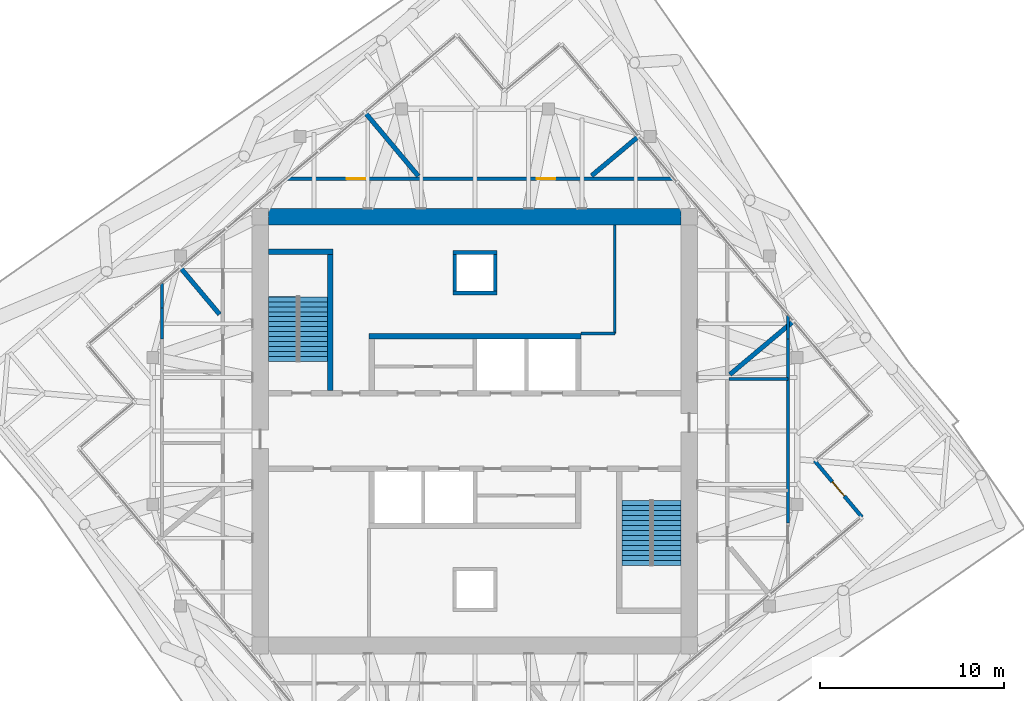
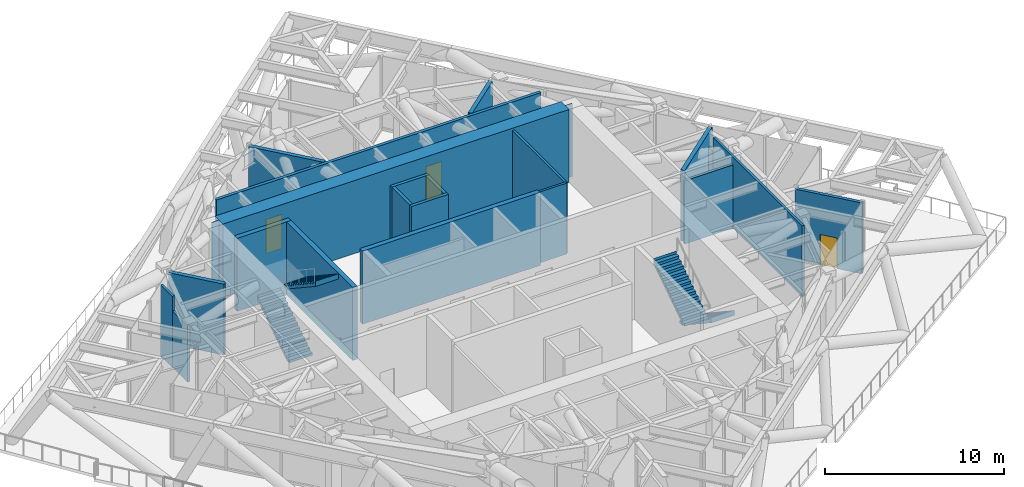
# One storey, part 9 of 15: 21 walls, 4 stair flights, 3 doors, 3 openings, 2 elements without a shape of their own.
"""IFC4 building model written with IfcOpenShell, lengths in metres."""

from ifc_helpers import new_model, si_unit, direction, frame, frame_2d, origin, place, context, subcontext, project, spatial, polyline, rectangle, outline, extrude, material, layer, layer_set, type_object, element, fill, aggregate, save


model = new_model("IFC4")

# Units and contexts
model_context = context("Model", 3, precision=1e-05, world=origin(), true_north=direction((0.0, 1.0)))
body_context = subcontext(model_context, "Body", "Model", "MODEL_VIEW")
ifc_project = project(units=[si_unit("LENGTHUNIT", "METRE"), si_unit("AREAUNIT", "SQUARE_METRE"), si_unit("VOLUMEUNIT", "CUBIC_METRE"), si_unit("PLANEANGLEUNIT", "RADIAN"), si_unit("MASSUNIT", "GRAM", prefix="KILO")], contexts=[model_context])

# Site, building, storey
site_placement = place(None, origin())
site = spatial("IfcSite", under=ifc_project, at=site_placement, CompositionType="ELEMENT")
building_placement = place(site_placement, origin())
building = spatial("IfcBuilding", under=site, at=building_placement, Name="Torsade Residences", CompositionType="ELEMENT")
storey_placement = place(building_placement, frame((0.0, 0.0, 267.60009765625)))
storey = spatial("IfcBuildingStorey", under=building, at=storey_placement, Name="L74", CompositionType="ELEMENT", Elevation=267.60009765625)

# Walls
ifc_material_1 = material(Name="Concrete 80 MPa", Category="concrete")
ifc_layer_1 = layer(ifc_material_1, 0.300048828125)
ifc_layer_set_1 = layer_set([ifc_layer_1], Name="Concrete 80 MPa")
wall_type_1 = type_object("IfcWallType", Name="CORE INTERNAL WALL 300", PredefinedType="SHEAR", material=ifc_layer_set_1)
wall_1_placement = place(storey_placement, frame((34.25, 35.14990234375, 0.0), z_axis=(0.0, 0.0, 1.0), x_axis=(1.0, 0.0, 0.0)))
element("IfcWall", 1, at=wall_1_placement, inside=storey, type_object=wall_type_1, Name="Core wall BN L74", PredefinedType="SHEAR", context=body_context, shape_type="SweptSolid", body=[
    extrude(rectangle(XDim=11.5, YDim=0.300048828125, at=frame_2d((5.75, 0.0))), origin(), (0.0, 0.0, 1.0), 5.0),
])
wall_2_placement = place(storey_placement, frame((32.14990234375, 32.199951171875, 0.0), z_axis=(0.0, 0.0, 1.0), x_axis=(0.0, 1.0, 0.0)))
element("IfcWall", 2, at=wall_2_placement, inside=storey, type_object=wall_type_1, Name="Core wall ST1E L74", PredefinedType="SHEAR", context=body_context, shape_type="SweptSolid", body=[
    extrude(rectangle(XDim=7.699951171875, YDim=0.300048828125, at=frame_2d((3.85009765625, 0.0))), origin(), (0.0, 0.0, 1.0), 5.0),
])
wall_3_placement = place(storey_placement, frame((28.800048828125, 39.75, 0.0), z_axis=(0.0, 0.0, 1.0), x_axis=(1.0, 0.0, 0.0)))
element("IfcWall", 3, at=wall_3_placement, inside=storey, type_object=wall_type_1, Name="Core wall ST1N L74", PredefinedType="SHEAR", context=body_context, shape_type="SweptSolid", body=[
    extrude(rectangle(XDim=3.5, YDim=0.300048828125, at=frame_2d((1.75, 0.0))), origin(), (0.0, 0.0, 1.0), 5.0),
])
ifc_material_2 = material(Name="Concrete 80 MPa", Category="concrete")
ifc_layer_2 = layer(ifc_material_2, 0.89990234375)
ifc_layer_set_2 = layer_set([ifc_layer_2], Name="Concrete 80 MPa")
wall_type_2 = type_object("IfcWallType", Name="CORE WALL 900", PredefinedType="SHEAR", material=ifc_layer_set_2)
wall_4_placement = place(storey_placement, frame((28.800048828125, 41.64990234375, 0.0), z_axis=(0.0, 0.0, 1.0), x_axis=(1.0, 0.0, 0.0)))
element("IfcWall", 4, at=wall_4_placement, inside=storey, type_object=wall_type_2, Name="Core wall N L74", PredefinedType="SHEAR", context=body_context, shape_type="SweptSolid", body=[
    extrude(outline(polyline([(0.0, -0.449951171875), (22.39990234375, -0.449951171875), (22.39990234375, -0.02490234375), (22.849853515625, -0.02490234375), (22.849853515625, 0.02490234375), (22.39990234375, 0.02490234375), (22.39990234375, 0.449951171875), (0.0, 0.449951171875), (0.0, 0.02490234375), (-0.449951171875, 0.02490234375), (-0.449951171875, -0.02490234375), (0.0, -0.02490234375), (0.0, -0.449951171875)])), origin(), (0.0, 0.0, 1.0), 5.0),
])

# Wall, openings, doors
ifc_material_3 = material(Name="Plasterboard on steel stud", Category="steel")
ifc_layer_3 = layer(ifc_material_3, 0.199951171875)
ifc_layer_set_3 = layer_set([ifc_layer_3], Name="Plasterboard on steel stud")
wall_type_3 = type_object("IfcWallType", Name="CORRIDOR WALL 200", PredefinedType="PARTITIONING", material=ifc_layer_set_3)
wall_5_placement = place(storey_placement, frame((50.774658203125, 43.699951171875, 0.0), z_axis=(0.0, 0.0, 1.0), x_axis=(-1.0, 0.0, 0.0)))
wall_5 = element("IfcWall", 5, at=wall_5_placement, inside=storey, type_object=wall_type_3, Name="Corridor wall L74", PredefinedType="PARTITIONING", context=body_context, shape_type="SweptSolid", body=[
    extrude(rectangle(XDim=20.98828125, YDim=0.199951171875, at=frame_2d((10.494140625, 0.0))), origin(), (0.0, 0.0, 1.0), 4.849853515625),
])
opening_1_placement = place(wall_5_placement, frame((6.403076171875, 0.0, 0.0)))
opening_1 = element("IfcOpeningElement", 6, at=opening_1_placement, cuts=wall_5, Name="Opening D01", PredefinedType="OPENING", context=body_context, shape_type="SweptSolid", body=[
    extrude(rectangle(XDim=1.02001953125, YDim=2.340087890625, at=frame_2d((0.510009765625, 1.169921875))), frame((0.0, 0.10986328125, 0.0), z_axis=(0.0, -1.0, 0.0), x_axis=(1.0, 0.0, 0.0)), (0.0, 0.0, 1.0), 0.219970703125),
])
opening_2_placement = place(wall_5_placement, frame((16.7294921875, 0.0, 0.0)))
opening_2 = element("IfcOpeningElement", 7, at=opening_2_placement, cuts=wall_5, Name="Opening D01", PredefinedType="OPENING", context=body_context, shape_type="SweptSolid", body=[
    extrude(rectangle(XDim=1.02001953125, YDim=2.340087890625, at=frame_2d((0.510009765625, 1.169921875))), frame((0.0, 0.10986328125, 0.0), z_axis=(0.0, -1.0, 0.0), x_axis=(1.0, 0.0, 0.0)), (0.0, 0.0, 1.0), 0.219970703125),
])
ifc_material_4 = material(Name="Solid-core timber fire door", Category="wood")
door_type_1 = type_object("IfcDoorType", Name="APARTMENT ENTRY DOOR 1020x2340", OperationType="NOTDEFINED", PredefinedType="DOOR", material=ifc_material_4)
door_1_placement = place(opening_1_placement, origin())
door_1 = element("IfcDoor", 8, at=door_1_placement, inside=storey, type_object=door_type_1, Name="Door Plant corridor to Refuge area", OperationType="SINGLE_SWING_LEFT", OverallHeight=2.340087890625, OverallWidth=1.02001953125, PredefinedType="DOOR", context=body_context, shape_type="SweptSolid", body=[
    extrude(rectangle(XDim=1.02001953125, YDim=2.340087890625, at=frame_2d((0.510009765625, 1.169921875))), frame((0.0, 0.02490234375, 0.0), z_axis=(0.0, -1.0, 0.0), x_axis=(1.0, 0.0, 0.0)), (0.0, 0.0, 1.0), 0.050048828125),
])
fill(opening_1, door_1)
door_2_placement = place(opening_2_placement, origin())
door_2 = element("IfcDoor", 9, at=door_2_placement, inside=storey, type_object=door_type_1, Name="Door Plant corridor to Electrical switch room", OperationType="SINGLE_SWING_LEFT", OverallHeight=2.340087890625, OverallWidth=1.02001953125, PredefinedType="DOOR", context=body_context, shape_type="SweptSolid", body=[
    extrude(rectangle(XDim=1.02001953125, YDim=2.340087890625, at=frame_2d((0.510009765625, 1.169921875))), frame((0.0, 0.02490234375, 0.0), z_axis=(0.0, -1.0, 0.0), x_axis=(1.0, 0.0, 0.0)), (0.0, 0.0, 1.0), 0.050048828125),
])
fill(opening_2, door_2)

# Walls
ifc_material_5 = material(Name="Masonry-lined stud party wall", Category="masonry")
ifc_layer_4 = layer(ifc_material_5, 0.25)
ifc_layer_set_4 = layer_set([ifc_layer_4], Name="Masonry-lined stud party wall")
wall_type_4 = type_object("IfcWallType", Name="PARTY WALL 250", PredefinedType="PARTITIONING", material=ifc_layer_set_4)
wall_6_placement = place(storey_placement, frame((57.3095703125, 35.97412109375, 0.0), z_axis=(0.0, 0.0, 1.0), x_axis=(-0.766036989917, -0.642796491962, 0.0)))
element("IfcWall", 10, at=wall_6_placement, inside=storey, type_object=wall_type_4, Name="Party wall L74", PredefinedType="PARTITIONING", context=body_context, shape_type="SweptSolid", body=[
    extrude(rectangle(XDim=4.5166015625, YDim=0.25, at=frame_2d((2.25830078125, 0.0))), origin(), (0.0, 0.0, 1.0), 4.849853515625),
])
wall_7_placement = place(storey_placement, frame((48.88916015625, 46.00927734375, 0.0), z_axis=(0.0, 0.0, 1.0), x_axis=(-0.766070357753, -0.642756724565, 0.0)))
element("IfcWall", 11, at=wall_7_placement, inside=storey, type_object=wall_type_4, Name="Party wall L74", PredefinedType="PARTITIONING", context=body_context, shape_type="SweptSolid", body=[
    extrude(rectangle(XDim=3.328125, YDim=0.25, at=frame_2d((1.6640625, 0.0))), origin(), (0.0, 0.0, 1.0), 4.849853515625),
])
wall_8_placement = place(storey_placement, frame((34.02587890625, 47.3095703125, 0.0), z_axis=(0.0, 0.0, 1.0), x_axis=(0.642796491962, -0.766036989917, 0.0)))
element("IfcWall", 12, at=wall_8_placement, inside=storey, type_object=wall_type_4, Name="Party wall L74", PredefinedType="PARTITIONING", context=body_context, shape_type="SweptSolid", body=[
    extrude(rectangle(XDim=4.5166015625, YDim=0.25, at=frame_2d((2.25830078125, 0.0))), origin(), (0.0, 0.0, 1.0), 4.849853515625),
])
wall_9_placement = place(storey_placement, frame((23.99072265625, 38.88916015625, 0.0), z_axis=(0.0, 0.0, 1.0), x_axis=(0.642756724565, -0.766070357753, 0.0)))
element("IfcWall", 13, at=wall_9_placement, inside=storey, type_object=wall_type_4, Name="Party wall L74", PredefinedType="PARTITIONING", context=body_context, shape_type="SweptSolid", body=[
    extrude(rectangle(XDim=3.328125, YDim=0.25, at=frame_2d((1.6640625, 0.0))), origin(), (0.0, 0.0, 1.0), 4.849853515625),
])

# Wall, opening, door
ifc_material_6 = material(Name="Stone-faced precast concrete 40 MPa panel", Category="masonry")
ifc_layer_5 = layer(ifc_material_6, 0.199951171875)
ifc_layer_set_5 = layer_set([ifc_layer_5], Name="Stone-faced precast concrete 40 MPa panel")
wall_type_5 = type_object("IfcWallType", Name="PLANT ROOM EXTERNAL WALL 200", PredefinedType="SOLIDWALL", material=ifc_layer_set_5)
wall_10_placement = place(storey_placement, frame((61.02685546875, 25.321044921875, 0.0), z_axis=(0.0, 0.0, 1.0), x_axis=(-0.642768287094, 0.766060656284, 0.0)))
wall_10 = element("IfcWall", 14, at=wall_10_placement, inside=storey, type_object=wall_type_5, Name="Plant room wall L74 2", PredefinedType="SOLIDWALL", context=body_context, shape_type="SweptSolid", body=[
    extrude(rectangle(XDim=4.0, YDim=0.199951171875, at=frame_2d((2.0, 0.0))), origin(), (0.0, 0.0, 1.0), 4.849853515625),
])
opening_3_placement = place(wall_10_placement, frame((1.489990234375, 0.0, 0.0)))
opening_3 = element("IfcOpeningElement", 15, at=opening_3_placement, cuts=wall_10, Name="Opening D11", PredefinedType="OPENING", context=body_context, shape_type="SweptSolid", body=[
    extrude(rectangle(XDim=1.02001953125, YDim=2.10009765625, at=frame_2d((0.510009765625, 1.050048828125))), frame((0.0, 0.10986328125, 0.0), z_axis=(0.0, -1.0, 0.0), x_axis=(1.0, 0.0, 0.0)), (0.0, 0.0, 1.0), 0.219970703125),
])
ifc_material_7 = material(Name="Steel-framed external door", Category="steel")
door_type_2 = type_object("IfcDoorType", Name="MAINTENANCE ROOF DOOR 1020", OperationType="NOTDEFINED", PredefinedType="DOOR", material=ifc_material_7)
door_3_placement = place(opening_3_placement, origin())
door_3 = element("IfcDoor", 16, at=door_3_placement, inside=storey, type_object=door_type_2, Name="Maintenance roof door L74", OperationType="SINGLE_SWING_RIGHT", OverallHeight=2.10009765625, OverallWidth=1.02001953125, PredefinedType="DOOR", context=body_context, shape_type="SweptSolid", body=[
    extrude(rectangle(XDim=1.02001953125, YDim=2.10009765625, at=frame_2d((0.510009765625, 1.050048828125))), frame((0.0, 0.02490234375, 0.0), z_axis=(0.0, -1.0, 0.0), x_axis=(1.0, 0.0, 0.0)), (0.0, 0.0, 1.0), 0.050048828125),
])
fill(opening_3, door_3)

# Walls
ifc_material_8 = material(Name="Reinforced blockwork", Category="masonry")
ifc_layer_6 = layer(ifc_material_8, 0.199951171875)
ifc_layer_set_6 = layer_set([ifc_layer_6], Name="Reinforced blockwork")
wall_type_6 = type_object("IfcWallType", Name="RISER SHAFT WALL 200", PredefinedType="SOLIDWALL", material=ifc_layer_set_6)
for number, where, z_axis, x_axis, name in (
    (17, (38.89990234375, 37.60009765625, 0.0), (0.0, 0.0, 1.0), (0.0, 1.0, 0.0), "Core wall RS1a L74"),
    (18, (41.10009765625, 37.60009765625, 0.0), (0.0, 0.0, 1.0), (0.0, 1.0, 0.0), "Core wall RS1b L74"),
):
    element("IfcWall", number, at=place(storey_placement, frame(where, z_axis=z_axis, x_axis=x_axis)), inside=storey, type_object=wall_type_6, Name=name, PredefinedType="SOLIDWALL", context=body_context, shape_type="SweptSolid", body=[
        extrude(rectangle(XDim=2.0, YDim=0.199951171875, at=frame_2d((1.0, 0.0))), origin(), (0.0, 0.0, 1.0), 5.0),
    ])
for number, where, z_axis, x_axis, name in (
    (19, (38.800048828125, 37.5, 0.0), (0.0, 0.0, 1.0), (1.0, 0.0, 0.0), "Core wall RS1c L74"),
    (20, (38.800048828125, 39.699951171875, 0.0), (0.0, 0.0, 1.0), (1.0, 0.0, 0.0), "Core wall RS1d L74"),
):
    element("IfcWall", number, at=place(storey_placement, frame(where, z_axis=z_axis, x_axis=x_axis)), inside=storey, type_object=wall_type_6, Name=name, PredefinedType="SOLIDWALL", context=body_context, shape_type="SweptSolid", body=[
        extrude(rectangle(XDim=2.39990234375, YDim=0.199951171875, at=frame_2d((1.199951171875, 0.0))), origin(), (0.0, 0.0, 1.0), 5.0),
    ])
ifc_material_9 = material(Name="Reinforced blockwork", Category="masonry")
ifc_layer_7 = layer(ifc_material_9, 0.14990234375)
ifc_layer_set_7 = layer_set([ifc_layer_7], Name="Reinforced blockwork")
wall_type_7 = type_object("IfcWallType", Name="SERVICE ROOM WALL 150", PredefinedType="SOLIDWALL", material=ifc_layer_set_7)
wall_11_placement = place(storey_placement, frame((47.60009765625, 41.199951171875, 0.0), z_axis=(0.0, 0.0, 1.0), x_axis=(0.0, -1.0, 0.0)))
element("IfcWall", 21, at=wall_11_placement, inside=storey, type_object=wall_type_7, Name="Service room wall L74", PredefinedType="SOLIDWALL", context=body_context, shape_type="SweptSolid", body=[
    extrude(rectangle(XDim=5.89990234375, YDim=0.14990234375, at=frame_2d((2.949951171875, 0.0))), origin(), (0.0, 0.0, 1.0), 4.849853515625),
])
wall_12_placement = place(storey_placement, frame((47.60009765625, 35.300048828125, 0.0), z_axis=(0.0, 0.0, 1.0), x_axis=(-1.0, 0.0, 0.0)))
element("IfcWall", 22, at=wall_12_placement, inside=storey, type_object=wall_type_7, Name="Service room wall L74", PredefinedType="SOLIDWALL", context=body_context, shape_type="SweptSolid", body=[
    extrude(rectangle(XDim=1.85009765625, YDim=0.14990234375, at=frame_2d((0.925048828125, 0.0))), origin(), (0.0, 0.0, 1.0), 4.849853515625),
])
wall_13_placement = place(storey_placement, frame((57.0, 36.28076171875, 0.0), z_axis=(0.0, 0.0, 1.0), x_axis=(0.0, -1.0, 0.0)))
element("IfcWall", 23, at=wall_13_placement, inside=storey, type_object=wall_type_7, Name="Service room wall L74", PredefinedType="SOLIDWALL", context=body_context, shape_type="SweptSolid", body=[
    extrude(rectangle(XDim=1.29248046875, YDim=0.14990234375, at=frame_2d((0.646240234375, 0.0))), origin(), (0.0, 0.0, 1.0), 3.849853515625),
])
wall_14_placement = place(storey_placement, frame((57.0, 34.98828125, 0.0), z_axis=(0.0, 0.0, 1.0), x_axis=(0.0, -1.0, 0.0)))
element("IfcWall", 24, at=wall_14_placement, inside=storey, type_object=wall_type_7, Name="Service room wall L74", PredefinedType="SOLIDWALL", context=body_context, shape_type="SweptSolid", body=[
    extrude(rectangle(XDim=9.9765625, YDim=0.14990234375, at=frame_2d((4.98828125, 0.0))), origin(), (0.0, 0.0, 1.0), 4.849853515625),
])
wall_15_placement = place(storey_placement, frame((57.0, 32.833251953125, 0.0), z_axis=(0.0, 0.0, 1.0), x_axis=(-1.0, 0.0, 0.0)))
element("IfcWall", 25, at=wall_15_placement, inside=storey, type_object=wall_type_7, Name="Service room wall L74", PredefinedType="SOLIDWALL", context=body_context, shape_type="SweptSolid", body=[
    extrude(rectangle(XDim=3.199951171875, YDim=0.14990234375, at=frame_2d((1.60009765625, 0.0))), origin(), (0.0, 0.0, 1.0), 4.32080078125),
])
wall_16_placement = place(storey_placement, frame((23.0, 34.98828125, 0.0), z_axis=(0.0, 0.0, 1.0), x_axis=(0.0, 1.0, 0.0)))
element("IfcWall", 26, at=wall_16_placement, inside=storey, type_object=wall_type_7, Name="Service room wall L74", PredefinedType="SOLIDWALL", context=body_context, shape_type="SweptSolid", body=[
    extrude(rectangle(XDim=1.690185546875, YDim=0.14990234375, at=frame_2d((0.84521484375, 0.0))), origin(), (0.0, 0.0, 1.0), 3.849853515625),
])
wall_17_placement = place(storey_placement, frame((23.0, 36.678466796875, 0.0), z_axis=(0.0, 0.0, 1.0), x_axis=(0.0, 1.0, 0.0)))
element("IfcWall", 27, at=wall_17_placement, inside=storey, type_object=wall_type_7, Name="Service room wall L74", PredefinedType="SOLIDWALL", context=body_context, shape_type="SweptSolid", body=[
    extrude(rectangle(XDim=1.3271484375, YDim=0.14990234375, at=frame_2d((0.66357421875, 0.0))), origin(), (0.0, 0.0, 1.0), 4.849853515625),
])

# Stair, stair flights
ifc_material_10 = material(Name="Precast concrete 40 MPa", Category="concrete")
stair_type = type_object("IfcStairType", Name="HALF-TURN FIRE STAIR 1500x5000", PredefinedType="HALF_TURN_STAIR", material=ifc_material_10)
stair_1_placement = place(storey_placement, origin())
stair_1 = element("IfcStair", 28, at=stair_1_placement, inside=storey, type_object=stair_type, Name="Stair ST1 L74", PredefinedType="HALF_TURN_STAIR")
ifc_material_11 = material(Name="Precast concrete 40 MPa", Category="concrete")
stair_flight_type = type_object("IfcStairFlightType", Name="PRECAST STAIR FLIGHT 1500x2500", PredefinedType="STRAIGHT", material=ifc_material_11)
stair_flight_1_placement = place(storey_placement, frame((29.550048828125, 33.780029296875, 0.0), z_axis=(0.0, 0.0, 1.0), x_axis=(0.0, 1.0, 0.0)))
stair_flight_1 = element("IfcStairFlight", 29, at=stair_flight_1_placement, type_object=stair_flight_type, Name="ST1 flight 1", NumberOfRisers=14, NumberOfTreads=13, PredefinedType="STRAIGHT", RiserHeight=0.178571429, TreadLength=0.27, context=body_context, shape_type="SweptSolid", body=[
    extrude(outline(polyline([(0.0, 0.0), (0.0, 0.178466796875), (0.27001953125, 0.178466796875), (0.27001953125, 0.357177734375), (0.5400390625, 0.357177734375), (0.5400390625, 0.53564453125), (0.81005859375, 0.53564453125), (0.81005859375, 0.71435546875), (1.080078125, 0.71435546875), (1.080078125, 0.892822265625), (1.35009765625, 0.892822265625), (1.35009765625, 1.071533203125), (1.6201171875, 1.071533203125), (1.6201171875, 1.25), (1.889892578125, 1.25), (1.889892578125, 1.428466796875), (2.159912109375, 1.428466796875), (2.159912109375, 1.607177734375), (2.429931640625, 1.607177734375), (2.429931640625, 1.78564453125), (2.699951171875, 1.78564453125), (2.699951171875, 1.96435546875), (2.969970703125, 1.96435546875), (2.969970703125, 2.142822265625), (3.239990234375, 2.142822265625), (3.239990234375, 2.321533203125), (3.510009765625, 2.321533203125), (3.510009765625, 2.5), (3.52001953125, 2.5), (3.52001953125, 2.1416015625), (3.510009765625, 2.1416015625), (0.271728515625, 0.0), (0.0, 0.0)])), frame((0.0, 0.75, 0.0), z_axis=(0.0, -1.0, 0.0), x_axis=(1.0, 0.0, 0.0)), (0.0, 0.0, 1.0), 1.5),
])
stair_flight_2_placement = place(storey_placement, frame((31.25, 37.2900390625, 2.5), z_axis=(0.0, 0.0, 1.0), x_axis=(0.0, -1.0, 0.0)))
stair_flight_2 = element("IfcStairFlight", 30, at=stair_flight_2_placement, type_object=stair_flight_type, Name="ST1 flight 2", NumberOfRisers=14, NumberOfTreads=13, PredefinedType="STRAIGHT", RiserHeight=0.178571429, TreadLength=0.27, context=body_context, shape_type="SweptSolid", body=[
    extrude(outline(polyline([(0.0, 0.0), (0.0, 0.178466796875), (0.27001953125, 0.178466796875), (0.27001953125, 0.357177734375), (0.5400390625, 0.357177734375), (0.5400390625, 0.53564453125), (0.81005859375, 0.53564453125), (0.81005859375, 0.71435546875), (1.080078125, 0.71435546875), (1.080078125, 0.892822265625), (1.35009765625, 0.892822265625), (1.35009765625, 1.071533203125), (1.6201171875, 1.071533203125), (1.6201171875, 1.25), (1.889892578125, 1.25), (1.889892578125, 1.428466796875), (2.159912109375, 1.428466796875), (2.159912109375, 1.607177734375), (2.429931640625, 1.607177734375), (2.429931640625, 1.78564453125), (2.699951171875, 1.78564453125), (2.699951171875, 1.96435546875), (2.969970703125, 1.96435546875), (2.969970703125, 2.142822265625), (3.239990234375, 2.142822265625), (3.239990234375, 2.321533203125), (3.510009765625, 2.321533203125), (3.510009765625, 2.5), (3.52001953125, 2.5), (3.52001953125, 2.1416015625), (3.510009765625, 2.1416015625), (0.271728515625, 0.0), (0.0, 0.0)])), frame((0.0, 0.75, 0.0), z_axis=(0.0, -1.0, 0.0), x_axis=(1.0, 0.0, 0.0)), (0.0, 0.0, 1.0), 1.5),
])
aggregate(stair_1, [stair_flight_1, stair_flight_2])

stair_2_placement = place(storey_placement, origin())
stair_2 = element("IfcStair", 31, at=stair_2_placement, inside=storey, type_object=stair_type, Name="Stair ST2 L74", PredefinedType="HALF_TURN_STAIR")
stair_flight_3_placement = place(storey_placement, frame((50.449951171875, 26.219970703125, 0.0), z_axis=(0.0, 0.0, 1.0), x_axis=(0.0, -1.0, 0.0)))
stair_flight_3 = element("IfcStairFlight", 32, at=stair_flight_3_placement, type_object=stair_flight_type, Name="ST2 flight 1", NumberOfRisers=14, NumberOfTreads=13, PredefinedType="STRAIGHT", RiserHeight=0.178571429, TreadLength=0.27, context=body_context, shape_type="SweptSolid", body=[
    extrude(outline(polyline([(0.0, 0.0), (0.0, 0.178466796875), (0.27001953125, 0.178466796875), (0.27001953125, 0.357177734375), (0.5400390625, 0.357177734375), (0.5400390625, 0.53564453125), (0.81005859375, 0.53564453125), (0.81005859375, 0.71435546875), (1.080078125, 0.71435546875), (1.080078125, 0.892822265625), (1.35009765625, 0.892822265625), (1.35009765625, 1.071533203125), (1.6201171875, 1.071533203125), (1.6201171875, 1.25), (1.889892578125, 1.25), (1.889892578125, 1.428466796875), (2.159912109375, 1.428466796875), (2.159912109375, 1.607177734375), (2.429931640625, 1.607177734375), (2.429931640625, 1.78564453125), (2.699951171875, 1.78564453125), (2.699951171875, 1.96435546875), (2.969970703125, 1.96435546875), (2.969970703125, 2.142822265625), (3.239990234375, 2.142822265625), (3.239990234375, 2.321533203125), (3.510009765625, 2.321533203125), (3.510009765625, 2.5), (3.52001953125, 2.5), (3.52001953125, 2.1416015625), (3.510009765625, 2.1416015625), (0.271728515625, 0.0), (0.0, 0.0)])), frame((0.0, 0.75, 0.0), z_axis=(0.0, -1.0, 0.0), x_axis=(1.0, 0.0, 0.0)), (0.0, 0.0, 1.0), 1.5),
])
stair_flight_4_placement = place(storey_placement, frame((48.75, 22.7099609375, 2.5), z_axis=(0.0, 0.0, 1.0), x_axis=(0.0, 1.0, 0.0)))
stair_flight_4 = element("IfcStairFlight", 33, at=stair_flight_4_placement, type_object=stair_flight_type, Name="ST2 flight 2", NumberOfRisers=14, NumberOfTreads=13, PredefinedType="STRAIGHT", RiserHeight=0.178571429, TreadLength=0.27, context=body_context, shape_type="SweptSolid", body=[
    extrude(outline(polyline([(0.0, 0.0), (0.0, 0.178466796875), (0.27001953125, 0.178466796875), (0.27001953125, 0.357177734375), (0.5400390625, 0.357177734375), (0.5400390625, 0.53564453125), (0.81005859375, 0.53564453125), (0.81005859375, 0.71435546875), (1.080078125, 0.71435546875), (1.080078125, 0.892822265625), (1.35009765625, 0.892822265625), (1.35009765625, 1.071533203125), (1.6201171875, 1.071533203125), (1.6201171875, 1.25), (1.889892578125, 1.25), (1.889892578125, 1.428466796875), (2.159912109375, 1.428466796875), (2.159912109375, 1.607177734375), (2.429931640625, 1.607177734375), (2.429931640625, 1.78564453125), (2.699951171875, 1.78564453125), (2.699951171875, 1.96435546875), (2.969970703125, 1.96435546875), (2.969970703125, 2.142822265625), (3.239990234375, 2.142822265625), (3.239990234375, 2.321533203125), (3.510009765625, 2.321533203125), (3.510009765625, 2.5), (3.52001953125, 2.5), (3.52001953125, 2.1416015625), (3.510009765625, 2.1416015625), (0.271728515625, 0.0), (0.0, 0.0)])), frame((0.0, 0.75, 0.0), z_axis=(0.0, -1.0, 0.0), x_axis=(1.0, 0.0, 0.0)), (0.0, 0.0, 1.0), 1.5),
])
aggregate(stair_2, [stair_flight_3, stair_flight_4])

save(model, "model.ifc")
